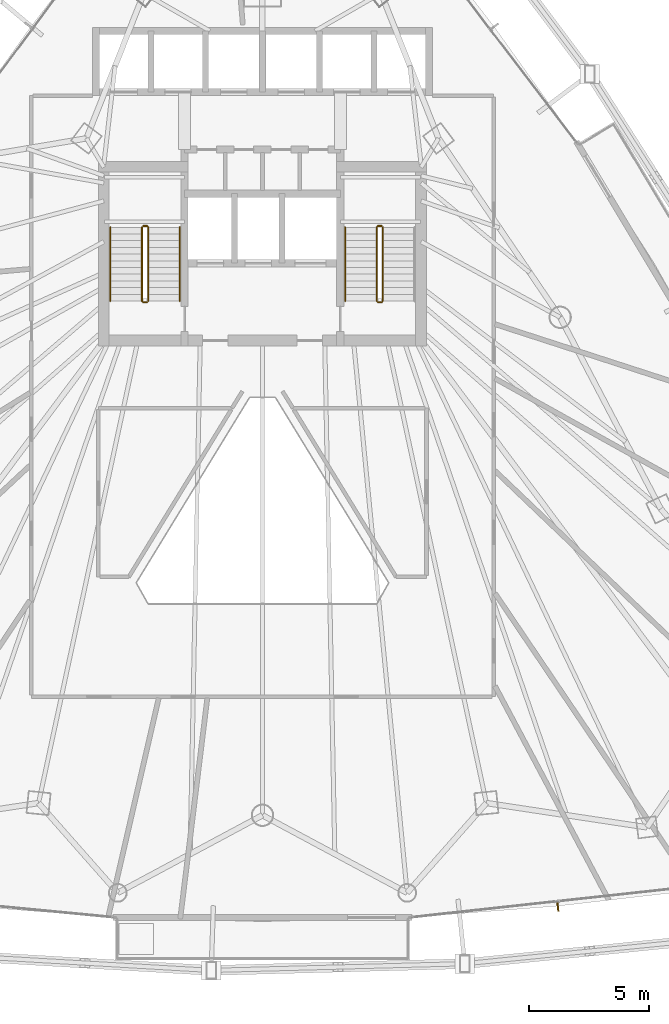
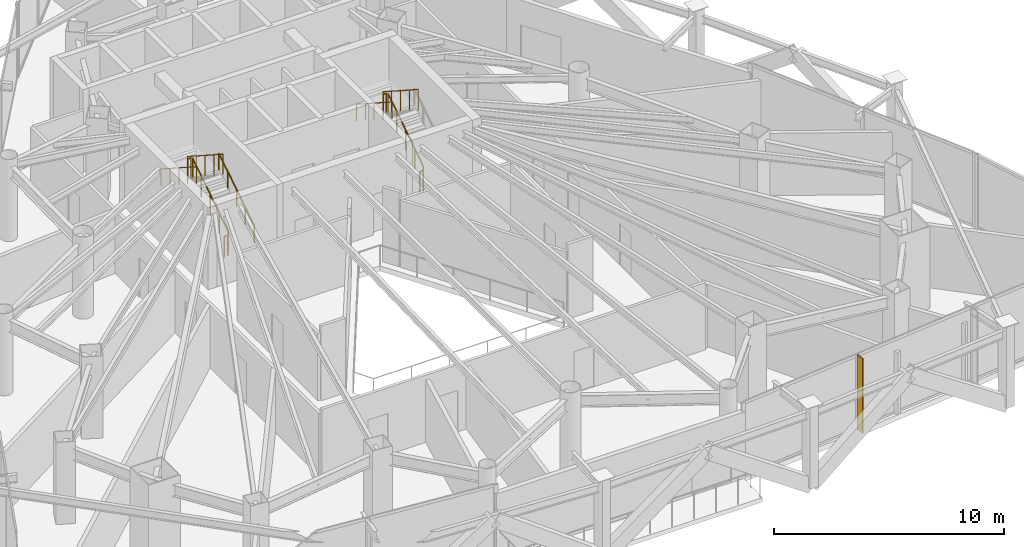
# One storey, part 32 of 33: 11 railings, 1 shading device.
"""IFC4 building model written with IfcOpenShell, lengths in metres."""

from ifc_helpers import new_model, si_unit, direction, frame, origin, origin_2d, place, context, subcontext, project, spatial, rectangle, circle, extrude, material, layer, layer_set, type_object, element, save


model = new_model("IFC4")

# Units and contexts
model_context = context("Model", 3, precision=1e-05, world=origin(), true_north=direction((0.0, 1.0)))
body_context = subcontext(model_context, "Body", "Model", "MODEL_VIEW")
ifc_project = project(units=[si_unit("LENGTHUNIT", "METRE"), si_unit("AREAUNIT", "SQUARE_METRE"), si_unit("VOLUMEUNIT", "CUBIC_METRE"), si_unit("PLANEANGLEUNIT", "RADIAN"), si_unit("MASSUNIT", "GRAM", prefix="KILO")], contexts=[model_context])

# Site, building, storey
site_placement = place(None, origin())
site = spatial("IfcSite", under=ifc_project, at=site_placement, CompositionType="ELEMENT")
building_placement = place(site_placement, origin())
building = spatial("IfcBuilding", under=site, at=building_placement, Name="Orvanel Arch Residences", CompositionType="ELEMENT")
storey_placement = place(building_placement, frame((0.0, 0.0, 97.25)))
storey = spatial("IfcBuildingStorey", under=building, at=storey_placement, Name="L27", CompositionType="ELEMENT", Elevation=97.25)

# Shading device
ifc_material_1 = material(Name="Bronze-anodised aluminium AA6063-T6", Category="aluminium")
ifc_layer = layer(ifc_material_1, 0.06005859375)
ifc_layer_set = layer_set([ifc_layer], Name="Bronze-anodised aluminium AA6063-T6")
shading_device_type = type_object("IfcShadingDeviceType", Name="FIN-BRZ-380", PredefinedType="USERDEFINED", material=ifc_layer_set)
shading_device_placement = place(storey_placement, frame((45.3349609375, 3.030029296875, 0.0), z_axis=(0.0, 0.0, 1.0), x_axis=(0.107999355706, -0.994150963972, 0.0)))
element("IfcShadingDevice", 1, at=shading_device_placement, inside=storey, type_object=shading_device_type, Name="L27 Anodised Bronze Mullion FIN 01", ObjectType="FIN", PredefinedType="USERDEFINED", context=body_context, shape_type="SweptSolid", body=[
    extrude(rectangle(XDim=0.3798828125, YDim=0.06005859375, at=origin_2d()), origin(), (0.0, 0.0, 1.0), 3.949951171875),
])

# Railings
ifc_material_2 = material(Name="Structural steel AS/NZS 1163 C350L0 (Grade 350)", Category="steel")
railing_type_1 = type_object("IfcRailingType", Name="RL-STAIR-GUARD", PredefinedType="GUARDRAIL", material=ifc_material_2)
railing_1_placement = place(storey_placement, frame((28.22998046875, 28.320068359375, 0.18115234375)))
element("IfcRailing", 2, at=railing_1_placement, inside=storey, type_object=railing_type_1, Name="L27 ST-1 stair guard 1", PredefinedType="GUARDRAIL", context=body_context, shape_type="SweptSolid", body=[
    extrude(circle(Radius=0.02392578125, at=origin_2d()), frame((0.0, 0.001220703125, 1.076904296875), z_axis=(0.0, 0.839438020429, 0.543455435025), x_axis=(-1.0, 0.0, 0.0)), (0.0, 0.0, 1.0), 3.666015625),
    extrude(circle(Radius=0.02099609375, at=origin_2d()), origin(), (0.0, 0.0, 1.0), 1.050048828125),
    extrude(circle(Radius=0.02099609375, at=origin_2d()), frame((0.0, 0.77001953125, 0.49853515625)), (0.0, 0.0, 1.0), 1.050048828125),
    extrude(circle(Radius=0.02099609375, at=origin_2d()), frame((0.0, 1.5400390625, 0.9970703125)), (0.0, 0.0, 1.0), 1.050048828125),
    extrude(circle(Radius=0.02099609375, at=origin_2d()), frame((0.0, 2.309814453125, 1.495361328125)), (0.0, 0.0, 1.0), 1.050048828125),
    extrude(circle(Radius=0.02099609375, at=origin_2d()), frame((0.0, 3.079833984375, 1.993896484375)), (0.0, 0.0, 1.0), 1.050048828125),
])
railing_2_placement = place(storey_placement, frame((28.179931640625, 31.449951171875, 2.175048828125)))
element("IfcRailing", 3, at=railing_2_placement, inside=storey, type_object=railing_type_1, Name="L27 ST-1 stair guard 2", PredefinedType="GUARDRAIL", context=body_context, shape_type="SweptSolid", body=[
    extrude(circle(Radius=0.02392578125, at=origin_2d()), frame((-0.00146484375, 0.0, 1.076171875), z_axis=(-1.0, 0.0, 0.0), x_axis=(0.0, -1.0, 0.0)), (0.0, 0.0, 1.0), 0.156982421875),
    extrude(circle(Radius=0.02099609375, at=origin_2d()), origin(), (0.0, 0.0, 1.0), 1.050048828125),
    extrude(circle(Radius=0.02099609375, at=origin_2d()), frame((-0.159912109375, 0.0, 0.0)), (0.0, 0.0, 1.0), 1.050048828125),
])
railing_3_placement = place(storey_placement, frame((27.969970703125, 31.39990234375, 2.356201171875)))
element("IfcRailing", 4, at=railing_3_placement, inside=storey, type_object=railing_type_1, Name="L27 ST-1 stair guard 3", PredefinedType="GUARDRAIL", context=body_context, shape_type="SweptSolid", body=[
    extrude(circle(Radius=0.02392578125, at=origin_2d()), frame((0.0, -0.001220703125, 1.076904296875), z_axis=(0.0, -0.839438020429, 0.543455435025), x_axis=(1.0, 0.0, 0.0)), (0.0, 0.0, 1.0), 3.666015625),
    extrude(circle(Radius=0.02099609375, at=origin_2d()), origin(), (0.0, 0.0, 1.0), 1.050048828125),
    extrude(circle(Radius=0.02099609375, at=origin_2d()), frame((0.0, -0.77001953125, 0.49853515625)), (0.0, 0.0, 1.0), 1.050048828125),
    extrude(circle(Radius=0.02099609375, at=origin_2d()), frame((0.0, -1.5400390625, 0.9970703125)), (0.0, 0.0, 1.0), 1.050048828125),
    extrude(circle(Radius=0.02099609375, at=origin_2d()), frame((0.0, -2.309814453125, 1.495361328125)), (0.0, 0.0, 1.0), 1.050048828125),
    extrude(circle(Radius=0.02099609375, at=origin_2d()), frame((0.0, -3.079833984375, 1.993896484375)), (0.0, 0.0, 1.0), 1.050048828125),
])
railing_4_placement = place(storey_placement, frame((28.179931640625, 28.27001953125, 0.0)))
element("IfcRailing", 5, at=railing_4_placement, inside=storey, type_object=railing_type_1, Name="L27 ST-1 stair guard 4", PredefinedType="GUARDRAIL", context=body_context, shape_type="SweptSolid", body=[
    extrude(circle(Radius=0.02392578125, at=origin_2d()), frame((-0.00146484375, 0.0, 1.076171875), z_axis=(-1.0, 0.0, 0.0), x_axis=(0.0, -1.0, 0.0)), (0.0, 0.0, 1.0), 0.156982421875),
    extrude(circle(Radius=0.02099609375, at=origin_2d()), origin(), (0.0, 0.0, 1.0), 1.050048828125),
    extrude(circle(Radius=0.02099609375, at=origin_2d()), frame((-0.159912109375, 0.0, 0.0)), (0.0, 0.0, 1.0), 1.050048828125),
])
railing_5_placement = place(storey_placement, frame((38.030029296875, 28.320068359375, 0.18115234375)))
element("IfcRailing", 6, at=railing_5_placement, inside=storey, type_object=railing_type_1, Name="L27 ST-2 stair guard 1", PredefinedType="GUARDRAIL", context=body_context, shape_type="SweptSolid", body=[
    extrude(circle(Radius=0.02392578125, at=origin_2d()), frame((0.0, 0.001220703125, 1.076904296875), z_axis=(0.0, 0.839438020429, 0.543455435025), x_axis=(-1.0, 0.0, 0.0)), (0.0, 0.0, 1.0), 3.666015625),
    extrude(circle(Radius=0.02099609375, at=origin_2d()), origin(), (0.0, 0.0, 1.0), 1.050048828125),
    extrude(circle(Radius=0.02099609375, at=origin_2d()), frame((0.0, 0.77001953125, 0.49853515625)), (0.0, 0.0, 1.0), 1.050048828125),
    extrude(circle(Radius=0.02099609375, at=origin_2d()), frame((0.0, 1.5400390625, 0.9970703125)), (0.0, 0.0, 1.0), 1.050048828125),
    extrude(circle(Radius=0.02099609375, at=origin_2d()), frame((0.0, 2.309814453125, 1.495361328125)), (0.0, 0.0, 1.0), 1.050048828125),
    extrude(circle(Radius=0.02099609375, at=origin_2d()), frame((0.0, 3.079833984375, 1.993896484375)), (0.0, 0.0, 1.0), 1.050048828125),
])
railing_6_placement = place(storey_placement, frame((37.97998046875, 31.449951171875, 2.175048828125)))
element("IfcRailing", 7, at=railing_6_placement, inside=storey, type_object=railing_type_1, Name="L27 ST-2 stair guard 2", PredefinedType="GUARDRAIL", context=body_context, shape_type="SweptSolid", body=[
    extrude(circle(Radius=0.02392578125, at=origin_2d()), frame((-0.00146484375, 0.0, 1.076171875), z_axis=(-1.0, 0.0, 0.0), x_axis=(0.0, -1.0, 0.0)), (0.0, 0.0, 1.0), 0.156982421875),
    extrude(circle(Radius=0.02099609375, at=origin_2d()), origin(), (0.0, 0.0, 1.0), 1.050048828125),
    extrude(circle(Radius=0.02099609375, at=origin_2d()), frame((-0.159912109375, 0.0, 0.0)), (0.0, 0.0, 1.0), 1.050048828125),
])
railing_7_placement = place(storey_placement, frame((37.77001953125, 31.39990234375, 2.356201171875)))
element("IfcRailing", 8, at=railing_7_placement, inside=storey, type_object=railing_type_1, Name="L27 ST-2 stair guard 3", PredefinedType="GUARDRAIL", context=body_context, shape_type="SweptSolid", body=[
    extrude(circle(Radius=0.02392578125, at=origin_2d()), frame((0.0, -0.001220703125, 1.076904296875), z_axis=(0.0, -0.839438020429, 0.543455435025), x_axis=(1.0, 0.0, 0.0)), (0.0, 0.0, 1.0), 3.666015625),
    extrude(circle(Radius=0.02099609375, at=origin_2d()), origin(), (0.0, 0.0, 1.0), 1.050048828125),
    extrude(circle(Radius=0.02099609375, at=origin_2d()), frame((0.0, -0.77001953125, 0.49853515625)), (0.0, 0.0, 1.0), 1.050048828125),
    extrude(circle(Radius=0.02099609375, at=origin_2d()), frame((0.0, -1.5400390625, 0.9970703125)), (0.0, 0.0, 1.0), 1.050048828125),
    extrude(circle(Radius=0.02099609375, at=origin_2d()), frame((0.0, -2.309814453125, 1.495361328125)), (0.0, 0.0, 1.0), 1.050048828125),
    extrude(circle(Radius=0.02099609375, at=origin_2d()), frame((0.0, -3.079833984375, 1.993896484375)), (0.0, 0.0, 1.0), 1.050048828125),
])
railing_8_placement = place(storey_placement, frame((37.97998046875, 28.27001953125, 0.0)))
element("IfcRailing", 9, at=railing_8_placement, inside=storey, type_object=railing_type_1, Name="L27 ST-2 stair guard 4", PredefinedType="GUARDRAIL", context=body_context, shape_type="SweptSolid", body=[
    extrude(circle(Radius=0.02392578125, at=origin_2d()), frame((-0.00146484375, 0.0, 1.076171875), z_axis=(-1.0, 0.0, 0.0), x_axis=(0.0, -1.0, 0.0)), (0.0, 0.0, 1.0), 0.156982421875),
    extrude(circle(Radius=0.02099609375, at=origin_2d()), origin(), (0.0, 0.0, 1.0), 1.050048828125),
    extrude(circle(Radius=0.02099609375, at=origin_2d()), frame((-0.159912109375, 0.0, 0.0)), (0.0, 0.0, 1.0), 1.050048828125),
])
railing_type_2 = type_object("IfcRailingType", Name="RL-STAIR-HAND", PredefinedType="HANDRAIL", material=ifc_material_2)
railing_9_placement = place(storey_placement, frame((29.550048828125, 28.320068359375, 0.18115234375)))
element("IfcRailing", 10, at=railing_9_placement, inside=storey, type_object=railing_type_2, Name="L27 ST-1 stair handrail 1", PredefinedType="HANDRAIL", context=body_context, shape_type="SweptSolid", body=[
    extrude(circle(Radius=0.02392578125, at=origin_2d()), frame((0.0, 0.001220703125, 0.876708984375), z_axis=(0.0, 0.839438020429, 0.543455435025), x_axis=(-1.0, 0.0, 0.0)), (0.0, 0.0, 1.0), 3.666015625),
    extrude(circle(Radius=0.02099609375, at=origin_2d()), origin(), (0.0, 0.0, 1.0), 0.849853515625),
    extrude(circle(Radius=0.02099609375, at=origin_2d()), frame((0.0, 0.77001953125, 0.49853515625)), (0.0, 0.0, 1.0), 0.849853515625),
    extrude(circle(Radius=0.02099609375, at=origin_2d()), frame((0.0, 1.5400390625, 0.9970703125)), (0.0, 0.0, 1.0), 0.849853515625),
    extrude(circle(Radius=0.02099609375, at=origin_2d()), frame((0.0, 2.309814453125, 1.495361328125)), (0.0, 0.0, 1.0), 0.849853515625),
    extrude(circle(Radius=0.02099609375, at=origin_2d()), frame((0.0, 3.079833984375, 1.993896484375)), (0.0, 0.0, 1.0), 0.849853515625),
])
for number, where, name in (
    (11, (26.64990234375, 31.39990234375, 2.356201171875), "L27 ST-1 stair handrail 2"),
    (12, (36.449951171875, 31.39990234375, 2.356201171875), "L27 ST-2 stair handrail 2"),
):
    element("IfcRailing", number, at=place(storey_placement, frame(where)), inside=storey, type_object=railing_type_2, Name=name, PredefinedType="HANDRAIL", context=body_context, shape_type="SweptSolid", body=[
        extrude(circle(Radius=0.02392578125, at=origin_2d()), frame((0.0, -0.001220703125, 0.876708984375), z_axis=(0.0, -0.839438020429, 0.543455435025), x_axis=(1.0, 0.0, 0.0)), (0.0, 0.0, 1.0), 3.666015625),
        extrude(circle(Radius=0.02099609375, at=origin_2d()), origin(), (0.0, 0.0, 1.0), 0.849853515625),
        extrude(circle(Radius=0.02099609375, at=origin_2d()), frame((0.0, -0.77001953125, 0.49853515625)), (0.0, 0.0, 1.0), 0.849853515625),
        extrude(circle(Radius=0.02099609375, at=origin_2d()), frame((0.0, -1.5400390625, 0.9970703125)), (0.0, 0.0, 1.0), 0.849853515625),
        extrude(circle(Radius=0.02099609375, at=origin_2d()), frame((0.0, -2.309814453125, 1.495361328125)), (0.0, 0.0, 1.0), 0.849853515625),
        extrude(circle(Radius=0.02099609375, at=origin_2d()), frame((0.0, -3.079833984375, 1.993896484375)), (0.0, 0.0, 1.0), 0.849853515625),
    ])

save(model, "model.ifc")
